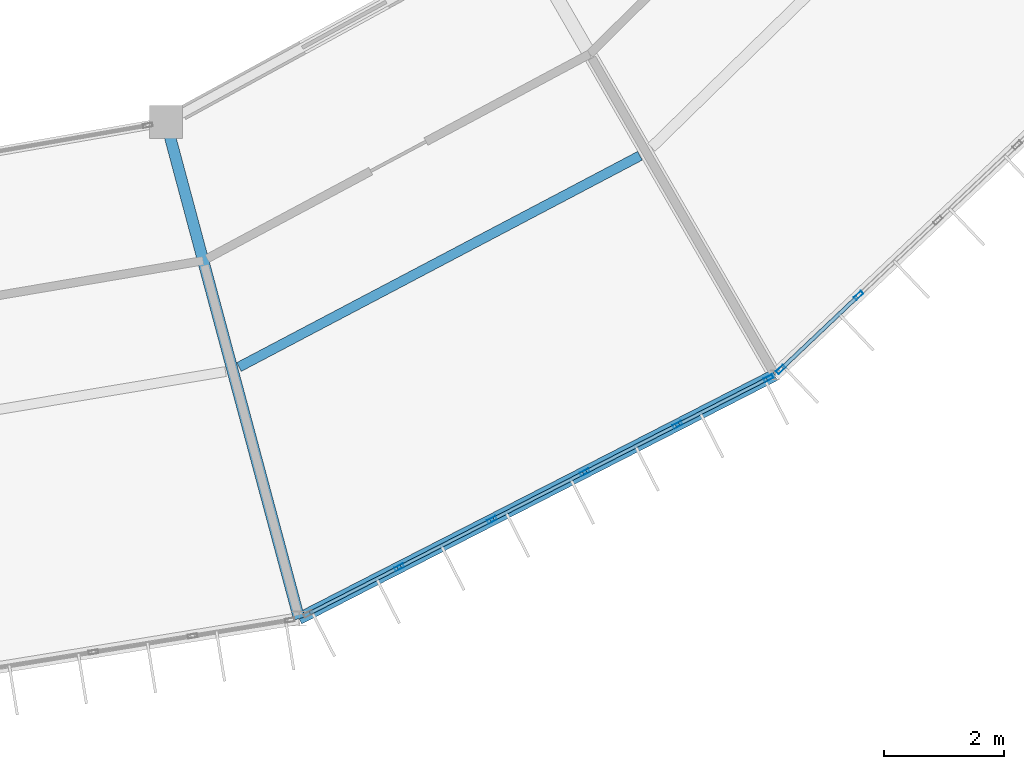
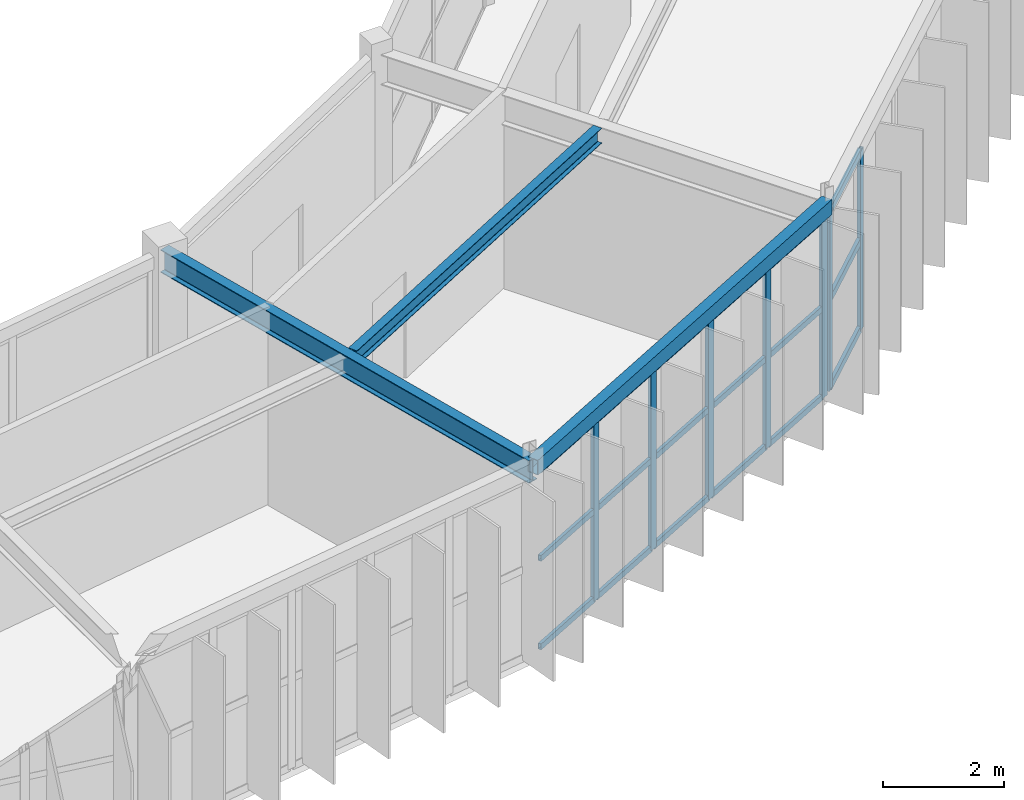
# One storey, part 55 of 157: 25 members, 3 beams, 2 elements without a shape of their own.
"""IFC4 building model written with IfcOpenShell, lengths in metres."""

from ifc_helpers import new_model, si_unit, direction, frame, origin, origin_2d, place, context, subcontext, project, spatial, hollow_rectangle, i_section, extrude, material, material_profile, profile_set, type_object, element, aggregate, save


model = new_model("IFC4")

# Units and contexts
model_context = context("Model", 3, precision=1e-05, world=origin(), true_north=direction((0.0, 1.0)))
body_context = subcontext(model_context, "Body", "Model", "MODEL_VIEW")
ifc_project = project(units=[si_unit("LENGTHUNIT", "METRE"), si_unit("AREAUNIT", "SQUARE_METRE"), si_unit("VOLUMEUNIT", "CUBIC_METRE"), si_unit("PLANEANGLEUNIT", "RADIAN"), si_unit("MASSUNIT", "GRAM", prefix="KILO")], contexts=[model_context])

# Site, building, storey
site_placement = place(None, origin())
site = spatial("IfcSite", under=ifc_project, at=site_placement, CompositionType="ELEMENT")
building_placement = place(site_placement, origin())
building = spatial("IfcBuilding", under=site, at=building_placement, Name="Karori Crest Natural Sciences Institute", CompositionType="ELEMENT")
storey_placement = place(building_placement, frame((0.0, 0.0, 13.300048828125)))
storey = spatial("IfcBuildingStorey", under=building, at=storey_placement, Name="L03", CompositionType="ELEMENT", Elevation=13.300048828125)

# Beams
ifc_material_1 = material(Name="Structural steel AS/NZS 3679.1 Grade 350", Category="steel")
ifc_material_profile_1 = material_profile(ifc_material_1, i_section(OverallWidth=0.19091796875, OverallDepth=0.4599609375, WebThickness=0.010009765625, FlangeThickness=0.01611328125, FilletRadius=0.010986328125, at=origin_2d()), Name="460UB82.1")
ifc_profile_set_1 = profile_set([ifc_material_profile_1], Name="Structural steel AS/NZS 3679.1 Grade 350")
beam_type_1 = type_object("IfcBeamType", Name="BT-06", PredefinedType="BEAM", material=ifc_profile_set_1)
beam_1_placement = place(storey_placement, frame((72.715087890625, 18.797119140625, 3.7099609375), z_axis=(0.258819806009, -0.965925622404, 0.0), x_axis=(0.965925622404, 0.258819806009, 0.0)))
element("IfcBeam", 1, at=beam_1_placement, inside=storey, type_object=beam_type_1, Name="Beam B-0434", PredefinedType="BEAM", context=body_context, shape_type="SweptSolid", body=[
    extrude(i_section(OverallWidth=0.19091796875, OverallDepth=0.4599609375, WebThickness=0.010009765625, FlangeThickness=0.01611328125, FilletRadius=0.010986328125, at=origin_2d()), origin(), (0.0, 0.0, 1.0), 8.599853515625),
])
ifc_material_profile_2 = material_profile(ifc_material_1, i_section(OverallWidth=0.166015625, OverallDepth=0.306884765625, WebThickness=0.006591796875, FlangeThickness=0.01171875, FilletRadius=0.010986328125, at=origin_2d()), Name="310UB46.2")
ifc_profile_set_2 = profile_set([ifc_material_profile_2], Name="Structural steel AS/NZS 3679.1 Grade 350")
beam_type_2 = type_object("IfcBeamType", Name="BT-09", PredefinedType="BEAM", material=ifc_profile_set_2)
beam_2_placement = place(storey_placement, frame((73.934326171875, 14.69970703125, 3.786376953125), z_axis=(0.884748465601, 0.466068828197, 0.0), x_axis=(-0.466068828197, 0.884748465601, 0.0)))
element("IfcBeam", 2, at=beam_2_placement, inside=storey, type_object=beam_type_2, Name="Beam B-0435", PredefinedType="BEAM", context=body_context, shape_type="SweptSolid", body=[
    extrude(i_section(OverallWidth=0.166015625, OverallDepth=0.306884765625, WebThickness=0.006591796875, FlangeThickness=0.01171875, FilletRadius=0.010986328125, at=origin_2d()), origin(), (0.0, 0.0, 1.0), 7.58349609375),
])
ifc_material_2 = material(Name="Hollow structural steel AS/NZS 1163 Grade C350", Category="steel")
ifc_material_profile_3 = material_profile(ifc_material_2, hollow_rectangle(XDim=0.199951171875, YDim=0.300048828125, WallThickness=0.010009765625, at=origin_2d()), Name="RHS300x200x10")
ifc_profile_set_3 = profile_set([ifc_material_profile_3], Name="Hollow structural steel AS/NZS 1163 Grade C350")
beam_type_3 = type_object("IfcBeamType", Name="BT-15", PredefinedType="SPANDREL", material=ifc_profile_set_3)
beam_3_placement = place(storey_placement, frame((74.94091796875, 10.490234375, 3.7900390625), z_axis=(0.890071733872, 0.455820478436, 0.0), x_axis=(-0.455820478436, 0.890071733872, 0.0)))
element("IfcBeam", 3, at=beam_3_placement, inside=storey, type_object=beam_type_3, Name="Beam B-0432", PredefinedType="SPANDREL", context=body_context, shape_type="SweptSolid", body=[
    extrude(hollow_rectangle(XDim=0.199951171875, YDim=0.300048828125, WallThickness=0.010009765625, at=origin_2d()), origin(), (0.0, 0.0, 1.0), 8.94189453125),
])

# Curtain wall, members
ifc_material_3 = material(Name="Anodised architectural aluminium 6063-T6", Category="aluminium")
curtain_wall_type_1 = type_object("IfcCurtainWallType", Name="CWT-10", PredefinedType="NOTDEFINED", material=ifc_material_3)
curtain_wall_1_placement = place(storey_placement, origin())
curtain_wall_1 = element("IfcCurtainWall", 4, at=curtain_wall_1_placement, inside=storey, type_object=curtain_wall_type_1, Name="Curtain wall CW-0129", PredefinedType="NOTDEFINED")
ifc_material_profile_4 = material_profile(ifc_material_3, hollow_rectangle(XDim=0.06494140625, YDim=0.159912109375, WallThickness=0.00390625, at=origin_2d()), Name="CWM160x65x4")
ifc_profile_set_4 = profile_set([ifc_material_profile_4], Name="Anodised architectural aluminium 6063-T6")
member_type_1 = type_object("IfcMemberType", Name="CWM-01", PredefinedType="MULLION", material=ifc_profile_set_4)
member_1_placement = place(storey_placement, frame((82.7958984375, 14.512939453125, 0.0), z_axis=(0.0, 0.0, 1.0), x_axis=(0.455828878252, -0.890067432138, 0.0)))
member_1 = element("IfcMember", 5, at=member_1_placement, type_object=member_type_1, Name="CW-0129 mullion 1", PredefinedType="MULLION", context=body_context, shape_type="SweptSolid", body=[
    extrude(hollow_rectangle(XDim=0.06494140625, YDim=0.159912109375, WallThickness=0.00390625, at=origin_2d()), origin(), (0.0, 0.0, 1.0), 3.625),
])
member_2_placement = place(storey_placement, frame((81.273193359375, 13.73291015625, 0.0), z_axis=(0.0, 0.0, 1.0), x_axis=(0.455828878252, -0.890067432138, 0.0)))
member_2 = element("IfcMember", 6, at=member_2_placement, type_object=member_type_1, Name="CW-0129 mullion 2", PredefinedType="MULLION", context=body_context, shape_type="SweptSolid", body=[
    extrude(hollow_rectangle(XDim=0.06494140625, YDim=0.159912109375, WallThickness=0.00390625, at=origin_2d()), origin(), (0.0, 0.0, 1.0), 3.625),
])
member_3_placement = place(storey_placement, frame((79.721435546875, 12.938232421875, 0.0), z_axis=(0.0, 0.0, 1.0), x_axis=(0.455828878252, -0.890067432138, 0.0)))
member_3 = element("IfcMember", 7, at=member_3_placement, type_object=member_type_1, Name="CW-0129 mullion 3", PredefinedType="MULLION", context=body_context, shape_type="SweptSolid", body=[
    extrude(hollow_rectangle(XDim=0.06494140625, YDim=0.159912109375, WallThickness=0.00390625, at=origin_2d()), origin(), (0.0, 0.0, 1.0), 3.625),
])
member_4_placement = place(storey_placement, frame((78.169677734375, 12.1435546875, 0.0), z_axis=(0.0, 0.0, 1.0), x_axis=(0.455828878252, -0.890067432138, 0.0)))
member_4 = element("IfcMember", 8, at=member_4_placement, type_object=member_type_1, Name="CW-0129 mullion 4", PredefinedType="MULLION", context=body_context, shape_type="SweptSolid", body=[
    extrude(hollow_rectangle(XDim=0.06494140625, YDim=0.159912109375, WallThickness=0.00390625, at=origin_2d()), origin(), (0.0, 0.0, 1.0), 3.625),
])
member_5_placement = place(storey_placement, frame((76.617919921875, 11.348876953125, 0.0), z_axis=(0.0, 0.0, 1.0), x_axis=(0.455828878252, -0.890067432138, 0.0)))
member_5 = element("IfcMember", 9, at=member_5_placement, type_object=member_type_1, Name="CW-0129 mullion 5", PredefinedType="MULLION", context=body_context, shape_type="SweptSolid", body=[
    extrude(hollow_rectangle(XDim=0.06494140625, YDim=0.159912109375, WallThickness=0.00390625, at=origin_2d()), origin(), (0.0, 0.0, 1.0), 3.625),
])

curtain_wall_type_2 = type_object("IfcCurtainWallType", Name="CWT-01", PredefinedType="NOTDEFINED", material=ifc_material_3)
curtain_wall_2_placement = place(storey_placement, origin())
curtain_wall_2 = element("IfcCurtainWall", 10, at=curtain_wall_2_placement, inside=storey, type_object=curtain_wall_type_2, Name="Curtain wall CW-0130", PredefinedType="NOTDEFINED")
member_6_placement = place(storey_placement, frame((84.302001953125, 15.896240234375, 0.0), z_axis=(0.0, 0.0, 1.0), x_axis=(0.688250542104, -0.725473081026, 0.0)))
member_6 = element("IfcMember", 11, at=member_6_placement, type_object=member_type_1, Name="CW-0130 mullion 5", PredefinedType="MULLION", context=body_context, shape_type="SweptSolid", body=[
    extrude(hollow_rectangle(XDim=0.06494140625, YDim=0.159912109375, WallThickness=0.00390625, at=origin_2d()), origin(), (0.0, 0.0, 1.0), 3.625),
])
member_7_placement = place(storey_placement, frame((82.9990234375, 14.66015625, 0.0), z_axis=(0.0, 0.0, 1.0), x_axis=(0.688250542104, -0.725473081026, 0.0)))
member_7 = element("IfcMember", 12, at=member_7_placement, type_object=member_type_1, Name="CW-0130 mullion 6", PredefinedType="MULLION", context=body_context, shape_type="SweptSolid", body=[
    extrude(hollow_rectangle(XDim=0.06494140625, YDim=0.159912109375, WallThickness=0.00390625, at=origin_2d()), origin(), (0.0, 0.0, 1.0), 3.625),
])

# Member
ifc_material_profile_5 = material_profile(ifc_material_3, hollow_rectangle(XDim=0.06005859375, YDim=0.1201171875, WallThickness=0.00390625, at=origin_2d()), Name="CWT120x60x4")
ifc_profile_set_5 = profile_set([ifc_material_profile_5], Name="Anodised architectural aluminium 6063-T6")
member_type_2 = type_object("IfcMemberType", Name="CWT-TR1", PredefinedType="USERDEFINED", material=ifc_profile_set_5)
member_8_placement = place(storey_placement, frame((82.766845703125, 14.498046875, 0.030029296875), z_axis=(-0.890053640935, -0.455855806432, 0.0), x_axis=(0.455855806432, -0.890053640935, 0.0)))
member_8 = element("IfcMember", 13, at=member_8_placement, type_object=member_type_2, Name="CW-0129 transom 1.1", ObjectType="TRANSOM", PredefinedType="USERDEFINED", context=body_context, shape_type="SweptSolid", body=[
    extrude(hollow_rectangle(XDim=0.06005859375, YDim=0.1201171875, WallThickness=0.00390625, at=origin_2d()), origin(), (0.0, 0.0, 1.0), 1.645751953125),
])

member_9_placement = place(storey_placement, frame((82.766845703125, 14.498046875, 1.8125), z_axis=(-0.890053640935, -0.455855806432, 0.0), x_axis=(0.455855806432, -0.890053640935, 0.0)))
member_9 = element("IfcMember", 14, at=member_9_placement, type_object=member_type_2, Name="CW-0129 transom 1.2", ObjectType="TRANSOM", PredefinedType="USERDEFINED", context=body_context, shape_type="SweptSolid", body=[
    extrude(hollow_rectangle(XDim=0.06005859375, YDim=0.1201171875, WallThickness=0.00390625, at=origin_2d()), origin(), (0.0, 0.0, 1.0), 1.645751953125),
])

member_10_placement = place(storey_placement, frame((82.766845703125, 14.498046875, 3.594970703125), z_axis=(-0.890053640935, -0.455855806432, 0.0), x_axis=(0.455855806432, -0.890053640935, 0.0)))
member_10 = element("IfcMember", 15, at=member_10_placement, type_object=member_type_2, Name="CW-0129 transom 1.3", ObjectType="TRANSOM", PredefinedType="USERDEFINED", context=body_context, shape_type="SweptSolid", body=[
    extrude(hollow_rectangle(XDim=0.06005859375, YDim=0.1201171875, WallThickness=0.00390625, at=origin_2d()), origin(), (0.0, 0.0, 1.0), 1.645751953125),
])

member_11_placement = place(storey_placement, frame((81.244140625, 13.71826171875, 0.030029296875), z_axis=(-0.890050562189, -0.455861817601, 0.0), x_axis=(0.455861817601, -0.890050562189, 0.0)))
member_11 = element("IfcMember", 16, at=member_11_placement, type_object=member_type_2, Name="CW-0129 transom 2.1", ObjectType="TRANSOM", PredefinedType="USERDEFINED", context=body_context, shape_type="SweptSolid", body=[
    extrude(hollow_rectangle(XDim=0.06005859375, YDim=0.1201171875, WallThickness=0.00390625, at=origin_2d()), origin(), (0.0, 0.0, 1.0), 1.678466796875),
])

member_12_placement = place(storey_placement, frame((81.244140625, 13.71826171875, 1.8125), z_axis=(-0.890050562189, -0.455861817601, 0.0), x_axis=(0.455861817601, -0.890050562189, 0.0)))
member_12 = element("IfcMember", 17, at=member_12_placement, type_object=member_type_2, Name="CW-0129 transom 2.2", ObjectType="TRANSOM", PredefinedType="USERDEFINED", context=body_context, shape_type="SweptSolid", body=[
    extrude(hollow_rectangle(XDim=0.06005859375, YDim=0.1201171875, WallThickness=0.00390625, at=origin_2d()), origin(), (0.0, 0.0, 1.0), 1.678466796875),
])

member_13_placement = place(storey_placement, frame((81.244140625, 13.71826171875, 3.594970703125), z_axis=(-0.890050562189, -0.455861817601, 0.0), x_axis=(0.455861817601, -0.890050562189, 0.0)))
member_13 = element("IfcMember", 18, at=member_13_placement, type_object=member_type_2, Name="CW-0129 transom 2.3", ObjectType="TRANSOM", PredefinedType="USERDEFINED", context=body_context, shape_type="SweptSolid", body=[
    extrude(hollow_rectangle(XDim=0.06005859375, YDim=0.1201171875, WallThickness=0.00390625, at=origin_2d()), origin(), (0.0, 0.0, 1.0), 1.678466796875),
])

member_14_placement = place(storey_placement, frame((79.6923828125, 12.923583984375, 0.030029296875), z_axis=(-0.890050562189, -0.455861817601, 0.0), x_axis=(0.455861817601, -0.890050562189, 0.0)))
member_14 = element("IfcMember", 19, at=member_14_placement, type_object=member_type_2, Name="CW-0129 transom 3.1", ObjectType="TRANSOM", PredefinedType="USERDEFINED", context=body_context, shape_type="SweptSolid", body=[
    extrude(hollow_rectangle(XDim=0.06005859375, YDim=0.1201171875, WallThickness=0.00390625, at=origin_2d()), origin(), (0.0, 0.0, 1.0), 1.678466796875),
])

member_15_placement = place(storey_placement, frame((79.6923828125, 12.923583984375, 1.8125), z_axis=(-0.890050562189, -0.455861817601, 0.0), x_axis=(0.455861817601, -0.890050562189, 0.0)))
member_15 = element("IfcMember", 20, at=member_15_placement, type_object=member_type_2, Name="CW-0129 transom 3.2", ObjectType="TRANSOM", PredefinedType="USERDEFINED", context=body_context, shape_type="SweptSolid", body=[
    extrude(hollow_rectangle(XDim=0.06005859375, YDim=0.1201171875, WallThickness=0.00390625, at=origin_2d()), origin(), (0.0, 0.0, 1.0), 1.678466796875),
])

member_16_placement = place(storey_placement, frame((79.6923828125, 12.923583984375, 3.594970703125), z_axis=(-0.890050562189, -0.455861817601, 0.0), x_axis=(0.455861817601, -0.890050562189, 0.0)))
member_16 = element("IfcMember", 21, at=member_16_placement, type_object=member_type_2, Name="CW-0129 transom 3.3", ObjectType="TRANSOM", PredefinedType="USERDEFINED", context=body_context, shape_type="SweptSolid", body=[
    extrude(hollow_rectangle(XDim=0.06005859375, YDim=0.1201171875, WallThickness=0.00390625, at=origin_2d()), origin(), (0.0, 0.0, 1.0), 1.678466796875),
])

member_17_placement = place(storey_placement, frame((78.140625, 12.12890625, 0.030029296875), z_axis=(-0.890050562189, -0.455861817601, 0.0), x_axis=(0.455861817601, -0.890050562189, 0.0)))
member_17 = element("IfcMember", 22, at=member_17_placement, type_object=member_type_2, Name="CW-0129 transom 4.1", ObjectType="TRANSOM", PredefinedType="USERDEFINED", context=body_context, shape_type="SweptSolid", body=[
    extrude(hollow_rectangle(XDim=0.06005859375, YDim=0.1201171875, WallThickness=0.00390625, at=origin_2d()), origin(), (0.0, 0.0, 1.0), 1.678466796875),
])

member_18_placement = place(storey_placement, frame((78.140625, 12.12890625, 1.8125), z_axis=(-0.890050562189, -0.455861817601, 0.0), x_axis=(0.455861817601, -0.890050562189, 0.0)))
member_18 = element("IfcMember", 23, at=member_18_placement, type_object=member_type_2, Name="CW-0129 transom 4.2", ObjectType="TRANSOM", PredefinedType="USERDEFINED", context=body_context, shape_type="SweptSolid", body=[
    extrude(hollow_rectangle(XDim=0.06005859375, YDim=0.1201171875, WallThickness=0.00390625, at=origin_2d()), origin(), (0.0, 0.0, 1.0), 1.678466796875),
])

member_19_placement = place(storey_placement, frame((78.140625, 12.12890625, 3.594970703125), z_axis=(-0.890050562189, -0.455861817601, 0.0), x_axis=(0.455861817601, -0.890050562189, 0.0)))
member_19 = element("IfcMember", 24, at=member_19_placement, type_object=member_type_2, Name="CW-0129 transom 4.3", ObjectType="TRANSOM", PredefinedType="USERDEFINED", context=body_context, shape_type="SweptSolid", body=[
    extrude(hollow_rectangle(XDim=0.06005859375, YDim=0.1201171875, WallThickness=0.00390625, at=origin_2d()), origin(), (0.0, 0.0, 1.0), 1.678466796875),
])

member_20_placement = place(storey_placement, frame((76.589111328125, 11.334228515625, 0.030029296875), z_axis=(-0.890084461025, -0.455795625518, 0.0), x_axis=(0.455795625518, -0.890084461025, 0.0)))
member_20 = element("IfcMember", 25, at=member_20_placement, type_object=member_type_2, Name="CW-0129 transom 5.1", ObjectType="TRANSOM", PredefinedType="USERDEFINED", context=body_context, shape_type="SweptSolid", body=[
    extrude(hollow_rectangle(XDim=0.06005859375, YDim=0.1201171875, WallThickness=0.00390625, at=origin_2d()), origin(), (0.0, 0.0, 1.0), 1.64599609375),
])

member_21_placement = place(storey_placement, frame((76.589111328125, 11.334228515625, 1.8125), z_axis=(-0.890084461025, -0.455795625518, 0.0), x_axis=(0.455795625518, -0.890084461025, 0.0)))
member_21 = element("IfcMember", 26, at=member_21_placement, type_object=member_type_2, Name="CW-0129 transom 5.2", ObjectType="TRANSOM", PredefinedType="USERDEFINED", context=body_context, shape_type="SweptSolid", body=[
    extrude(hollow_rectangle(XDim=0.06005859375, YDim=0.1201171875, WallThickness=0.00390625, at=origin_2d()), origin(), (0.0, 0.0, 1.0), 1.64599609375),
])

member_22_placement = place(storey_placement, frame((76.589111328125, 11.334228515625, 3.594970703125), z_axis=(-0.890084461025, -0.455795625518, 0.0), x_axis=(0.455795625518, -0.890084461025, 0.0)))
member_22 = element("IfcMember", 27, at=member_22_placement, type_object=member_type_2, Name="CW-0129 transom 5.3", ObjectType="TRANSOM", PredefinedType="USERDEFINED", context=body_context, shape_type="SweptSolid", body=[
    extrude(hollow_rectangle(XDim=0.06005859375, YDim=0.1201171875, WallThickness=0.00390625, at=origin_2d()), origin(), (0.0, 0.0, 1.0), 1.64599609375),
])

aggregate(curtain_wall_1, [member_1, member_2, member_3, member_4, member_5, member_8, member_9, member_10, member_11, member_12, member_13, member_14, member_15, member_16, member_17, member_18, member_19, member_20, member_21, member_22])

ifc_material_profile_6 = material_profile(ifc_material_3, hollow_rectangle(XDim=0.06494140625, YDim=0.14990234375, WallThickness=0.00390625, at=origin_2d()), Name="CWT150x65x4")
ifc_profile_set_6 = profile_set([ifc_material_profile_6], Name="Anodised architectural aluminium 6063-T6")
member_type_3 = type_object("IfcMemberType", Name="CWT-TR2", PredefinedType="USERDEFINED", material=ifc_profile_set_6)
member_23_placement = place(storey_placement, frame((84.2783203125, 15.873779296875, 0.032470703125), z_axis=(-0.725481758098, -0.688241395636, 0.0), x_axis=(0.688241395636, -0.725481758098, 0.0)))
member_23 = element("IfcMember", 28, at=member_23_placement, type_object=member_type_3, Name="CW-0130 transom 5.1", ObjectType="TRANSOM", PredefinedType="USERDEFINED", context=body_context, shape_type="SweptSolid", body=[
    extrude(hollow_rectangle(XDim=0.06494140625, YDim=0.14990234375, WallThickness=0.00390625, at=origin_2d()), origin(), (0.0, 0.0, 1.0), 1.730712890625),
])

member_24_placement = place(storey_placement, frame((84.2783203125, 15.873779296875, 1.8125), z_axis=(-0.725481758098, -0.688241395636, 0.0), x_axis=(0.688241395636, -0.725481758098, 0.0)))
member_24 = element("IfcMember", 29, at=member_24_placement, type_object=member_type_3, Name="CW-0130 transom 5.2", ObjectType="TRANSOM", PredefinedType="USERDEFINED", context=body_context, shape_type="SweptSolid", body=[
    extrude(hollow_rectangle(XDim=0.06494140625, YDim=0.14990234375, WallThickness=0.00390625, at=origin_2d()), origin(), (0.0, 0.0, 1.0), 1.730712890625),
])

member_25_placement = place(storey_placement, frame((84.2783203125, 15.873779296875, 3.592529296875), z_axis=(-0.725481758098, -0.688241395636, 0.0), x_axis=(0.688241395636, -0.725481758098, 0.0)))
member_25 = element("IfcMember", 30, at=member_25_placement, type_object=member_type_3, Name="CW-0130 transom 5.3", ObjectType="TRANSOM", PredefinedType="USERDEFINED", context=body_context, shape_type="SweptSolid", body=[
    extrude(hollow_rectangle(XDim=0.06494140625, YDim=0.14990234375, WallThickness=0.00390625, at=origin_2d()), origin(), (0.0, 0.0, 1.0), 1.730712890625),
])

aggregate(curtain_wall_2, [member_6, member_7, member_23, member_24, member_25])

save(model, "model.ifc")
